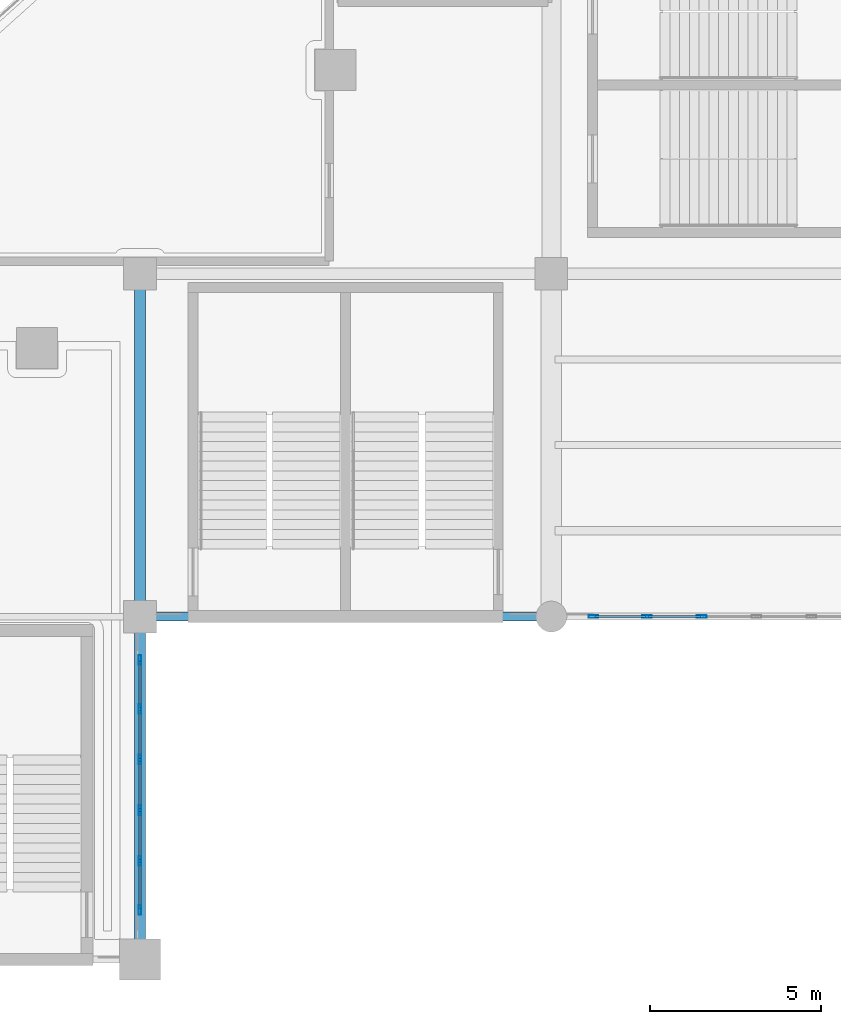
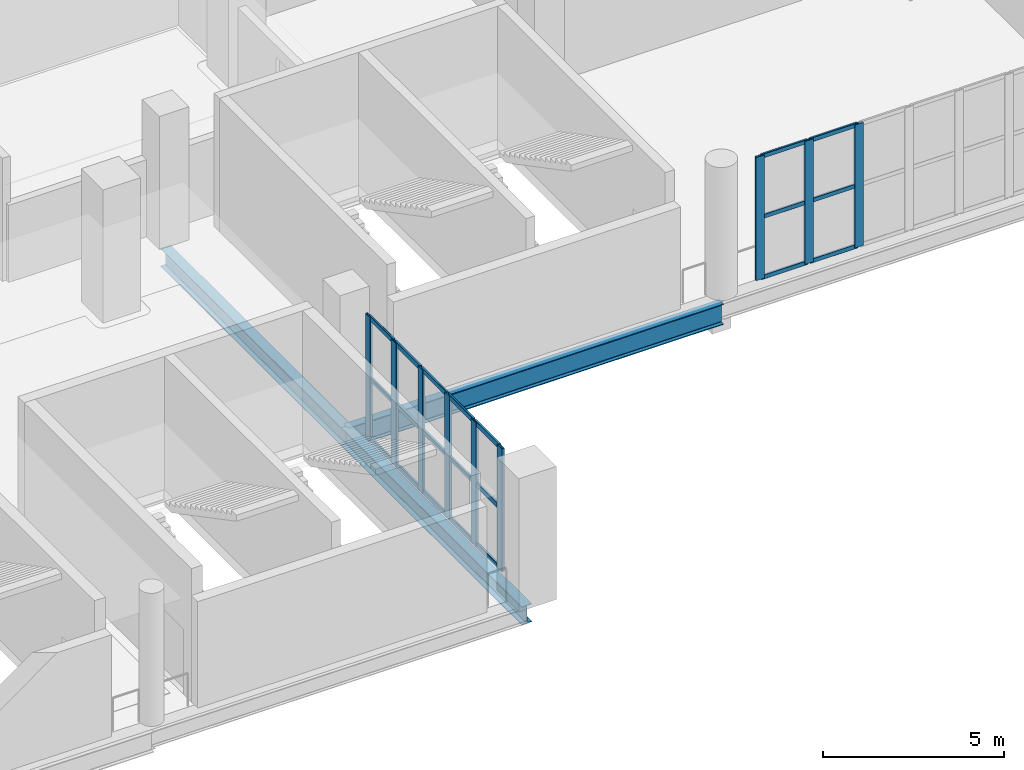
# One storey, part 31 of 90: 30 members, 3 beams, 2 elements without a shape of their own.
"""IFC4 building model written with IfcOpenShell, lengths in metres."""

from ifc_helpers import new_model, si_unit, direction, frame, origin, origin_2d, place, context, subcontext, project, spatial, hollow_rectangle, i_section, extrude, material, layer, layer_set, material_profile, profile_set, type_object, element, aggregate, save


model = new_model("IFC4")

# Units and contexts
model_context = context("Model", 3, precision=1e-05, world=origin(), true_north=direction((0.0, 1.0)))
body_context = subcontext(model_context, "Body", "Model", "MODEL_VIEW")
ifc_project = project(units=[si_unit("LENGTHUNIT", "METRE"), si_unit("AREAUNIT", "SQUARE_METRE"), si_unit("VOLUMEUNIT", "CUBIC_METRE"), si_unit("PLANEANGLEUNIT", "RADIAN"), si_unit("MASSUNIT", "GRAM", prefix="KILO")], contexts=[model_context])

# Site, building, storey
site_placement = place(None, origin())
site = spatial("IfcSite", under=ifc_project, at=site_placement, CompositionType="ELEMENT")
building_placement = place(site_placement, origin())
building = spatial("IfcBuilding", under=site, at=building_placement, Name="Brinegate Civic Arena", CompositionType="ELEMENT")
storey_placement = place(building_placement, frame((0.0, 0.0, 14.699951171875)))
storey = spatial("IfcBuildingStorey", under=building, at=storey_placement, Name="L03", CompositionType="ELEMENT", Elevation=14.699951171875)

# Curtain wall, members
ifc_material_1 = material(Name="Marine grade aluminium", Category="aluminium")
ifc_layer_1 = layer(ifc_material_1, 0.25, Name="Marine grade aluminium")
ifc_layer_set_1 = layer_set([ifc_layer_1], Name="Marine grade aluminium")
curtain_wall_type_1 = type_object("IfcCurtainWallType", Name="CW-PORTAL-SOUTH-02", PredefinedType="USERDEFINED", material=ifc_layer_set_1)
curtain_wall_1_placement = place(storey_placement, origin())
curtain_wall_1 = element("IfcCurtainWall", 1, at=curtain_wall_1_placement, inside=storey, type_object=curtain_wall_type_1, Name="Curtain Wall CWA-131", ObjectType="PORTAL CURTAIN WALL", PredefinedType="USERDEFINED")
ifc_material_profile_1 = material_profile(ifc_material_1, hollow_rectangle(XDim=0.080078125, YDim=0.280029296875, WallThickness=0.007080078125, InnerFilletRadius=0.0048828125, OuterFilletRadius=0.010009765625, at=origin_2d()), Name="MUL80X280")
ifc_profile_set_1 = profile_set([ifc_material_profile_1], Name="Marine grade aluminium")
member_type_1 = type_object("IfcMemberType", Name="CW-MULLION-80X280", PredefinedType="MULLION", material=ifc_profile_set_1)
member_1_placement = place(storey_placement, frame((132.0, 1.43896484375, 0.0), z_axis=(0.0, 0.0, 1.0), x_axis=(-1.0, 0.0, 0.0)))
member_1 = element("IfcMember", 2, at=member_1_placement, type_object=member_type_1, Name="CWA-131 mullion 1", PredefinedType="MULLION", context=body_context, shape_type="SweptSolid", body=[
    extrude(hollow_rectangle(XDim=0.080078125, YDim=0.280029296875, WallThickness=0.007080078125, InnerFilletRadius=0.0048828125, OuterFilletRadius=0.010009765625, at=origin_2d()), origin(), (0.0, 0.0, 1.0), 4.16015625),
])
member_2_placement = place(storey_placement, frame((132.0, 2.874755859375, 0.0), z_axis=(0.0, 0.0, 1.0), x_axis=(-1.0, 0.0, 0.0)))
member_2 = element("IfcMember", 3, at=member_2_placement, type_object=member_type_1, Name="CWA-131 mullion 2", PredefinedType="MULLION", context=body_context, shape_type="SweptSolid", body=[
    extrude(hollow_rectangle(XDim=0.080078125, YDim=0.280029296875, WallThickness=0.007080078125, InnerFilletRadius=0.0048828125, OuterFilletRadius=0.010009765625, at=origin_2d()), origin(), (0.0, 0.0, 1.0), 4.16015625),
])
member_3_placement = place(storey_placement, frame((132.0, 4.3505859375, 0.0), z_axis=(0.0, 0.0, 1.0), x_axis=(-1.0, 0.0, 0.0)))
member_3 = element("IfcMember", 4, at=member_3_placement, type_object=member_type_1, Name="CWA-131 mullion 3", PredefinedType="MULLION", context=body_context, shape_type="SweptSolid", body=[
    extrude(hollow_rectangle(XDim=0.080078125, YDim=0.280029296875, WallThickness=0.007080078125, InnerFilletRadius=0.0048828125, OuterFilletRadius=0.010009765625, at=origin_2d()), origin(), (0.0, 0.0, 1.0), 4.16015625),
])
member_4_placement = place(storey_placement, frame((132.0, 5.826416015625, 0.0), z_axis=(0.0, 0.0, 1.0), x_axis=(-1.0, 0.0, 0.0)))
member_4 = element("IfcMember", 5, at=member_4_placement, type_object=member_type_1, Name="CWA-131 mullion 4", PredefinedType="MULLION", context=body_context, shape_type="SweptSolid", body=[
    extrude(hollow_rectangle(XDim=0.080078125, YDim=0.280029296875, WallThickness=0.007080078125, InnerFilletRadius=0.0048828125, OuterFilletRadius=0.010009765625, at=origin_2d()), origin(), (0.0, 0.0, 1.0), 4.16015625),
])
member_5_placement = place(storey_placement, frame((132.0, 7.30224609375, 0.0), z_axis=(0.0, 0.0, 1.0), x_axis=(-1.0, 0.0, 0.0)))
member_5 = element("IfcMember", 6, at=member_5_placement, type_object=member_type_1, Name="CWA-131 mullion 5", PredefinedType="MULLION", context=body_context, shape_type="SweptSolid", body=[
    extrude(hollow_rectangle(XDim=0.080078125, YDim=0.280029296875, WallThickness=0.007080078125, InnerFilletRadius=0.0048828125, OuterFilletRadius=0.010009765625, at=origin_2d()), origin(), (0.0, 0.0, 1.0), 4.16015625),
])
member_6_placement = place(storey_placement, frame((132.0, 8.738037109375, 0.0), z_axis=(0.0, 0.0, 1.0), x_axis=(-1.0, 0.0, 0.0)))
member_6 = element("IfcMember", 7, at=member_6_placement, type_object=member_type_1, Name="CWA-131 mullion 6", PredefinedType="MULLION", context=body_context, shape_type="SweptSolid", body=[
    extrude(hollow_rectangle(XDim=0.080078125, YDim=0.280029296875, WallThickness=0.007080078125, InnerFilletRadius=0.0048828125, OuterFilletRadius=0.010009765625, at=origin_2d()), origin(), (0.0, 0.0, 1.0), 4.16015625),
])

ifc_layer_2 = layer(ifc_material_1, 0.199951171875, Name="Marine grade aluminium")
ifc_layer_set_2 = layer_set([ifc_layer_2], Name="Marine grade aluminium")
curtain_wall_type_2 = type_object("IfcCurtainWallType", Name="CW-BOWL-GLAZED-01", PredefinedType="USERDEFINED", material=ifc_layer_set_2)
curtain_wall_2_placement = place(storey_placement, origin())
curtain_wall_2 = element("IfcCurtainWall", 8, at=curtain_wall_2_placement, inside=storey, type_object=curtain_wall_type_2, Name="Curtain Wall CWA-133", ObjectType="GLAZED CURTAIN WALL", PredefinedType="USERDEFINED")
member_7_placement = place(storey_placement, frame((145.22607421875, 10.0, 0.0), z_axis=(0.0, 0.0, 1.0), x_axis=(0.0, 1.0, 0.0)))
member_7 = element("IfcMember", 9, at=member_7_placement, type_object=member_type_1, Name="CWA-133 mullion 1", PredefinedType="MULLION", context=body_context, shape_type="SweptSolid", body=[
    extrude(hollow_rectangle(XDim=0.080078125, YDim=0.280029296875, WallThickness=0.007080078125, InnerFilletRadius=0.0048828125, OuterFilletRadius=0.010009765625, at=origin_2d()), origin(), (0.0, 0.0, 1.0), 4.16015625),
])
member_8_placement = place(storey_placement, frame((146.78466796875, 10.0, 0.0), z_axis=(0.0, 0.0, 1.0), x_axis=(0.0, 1.0, 0.0)))
member_8 = element("IfcMember", 10, at=member_8_placement, type_object=member_type_1, Name="CWA-133 mullion 2", PredefinedType="MULLION", context=body_context, shape_type="SweptSolid", body=[
    extrude(hollow_rectangle(XDim=0.080078125, YDim=0.280029296875, WallThickness=0.007080078125, InnerFilletRadius=0.0048828125, OuterFilletRadius=0.010009765625, at=origin_2d()), origin(), (0.0, 0.0, 1.0), 4.16015625),
])
member_9_placement = place(storey_placement, frame((148.38330078125, 10.0, 0.0), z_axis=(0.0, 0.0, 1.0), x_axis=(0.0, 1.0, 0.0)))
member_9 = element("IfcMember", 11, at=member_9_placement, type_object=member_type_1, Name="CWA-133 mullion 3", PredefinedType="MULLION", context=body_context, shape_type="SweptSolid", body=[
    extrude(hollow_rectangle(XDim=0.080078125, YDim=0.280029296875, WallThickness=0.007080078125, InnerFilletRadius=0.0048828125, OuterFilletRadius=0.010009765625, at=origin_2d()), origin(), (0.0, 0.0, 1.0), 4.16015625),
])
ifc_material_profile_2 = material_profile(ifc_material_1, hollow_rectangle(XDim=0.06494140625, YDim=0.139892578125, WallThickness=0.0048828125, InnerFilletRadius=0.00390625, OuterFilletRadius=0.008056640625, at=origin_2d()), Name="TRN65X140")
ifc_profile_set_2 = profile_set([ifc_material_profile_2], Name="Marine grade aluminium")
member_type_2 = type_object("IfcMemberType", Name="CW-TRANSOM-65X140", PredefinedType="USERDEFINED", material=ifc_profile_set_2)
member_10_placement = place(storey_placement, frame((145.26611328125, 10.0, 0.032470703125), z_axis=(1.0, 0.0, 0.0), x_axis=(0.0, 1.0, 0.0)))
member_10 = element("IfcMember", 12, at=member_10_placement, type_object=member_type_2, Name="CWA-133 transom 1.1", ObjectType="TRANSOM", PredefinedType="USERDEFINED", context=body_context, shape_type="SweptSolid", body=[
    extrude(hollow_rectangle(XDim=0.06494140625, YDim=0.139892578125, WallThickness=0.0048828125, InnerFilletRadius=0.00390625, OuterFilletRadius=0.008056640625, at=origin_2d()), origin(), (0.0, 0.0, 1.0), 1.478515625),
])
member_11_placement = place(storey_placement, frame((145.26611328125, 10.0, 2.080078125), z_axis=(1.0, 0.0, 0.0), x_axis=(0.0, 1.0, 0.0)))
member_11 = element("IfcMember", 13, at=member_11_placement, type_object=member_type_2, Name="CWA-133 transom 1.2", ObjectType="TRANSOM", PredefinedType="USERDEFINED", context=body_context, shape_type="SweptSolid", body=[
    extrude(hollow_rectangle(XDim=0.06494140625, YDim=0.139892578125, WallThickness=0.0048828125, InnerFilletRadius=0.00390625, OuterFilletRadius=0.008056640625, at=origin_2d()), origin(), (0.0, 0.0, 1.0), 1.478515625),
])
member_12_placement = place(storey_placement, frame((145.26611328125, 10.0, 4.12744140625), z_axis=(1.0, 0.0, 0.0), x_axis=(0.0, 1.0, 0.0)))
member_12 = element("IfcMember", 14, at=member_12_placement, type_object=member_type_2, Name="CWA-133 transom 1.3", ObjectType="TRANSOM", PredefinedType="USERDEFINED", context=body_context, shape_type="SweptSolid", body=[
    extrude(hollow_rectangle(XDim=0.06494140625, YDim=0.139892578125, WallThickness=0.0048828125, InnerFilletRadius=0.00390625, OuterFilletRadius=0.008056640625, at=origin_2d()), origin(), (0.0, 0.0, 1.0), 1.478515625),
])
member_13_placement = place(storey_placement, frame((146.82470703125, 10.0, 0.032470703125), z_axis=(1.0, 0.0, 0.0), x_axis=(0.0, 1.0, 0.0)))
member_13 = element("IfcMember", 15, at=member_13_placement, type_object=member_type_2, Name="CWA-133 transom 2.1", ObjectType="TRANSOM", PredefinedType="USERDEFINED", context=body_context, shape_type="SweptSolid", body=[
    extrude(hollow_rectangle(XDim=0.06494140625, YDim=0.139892578125, WallThickness=0.0048828125, InnerFilletRadius=0.00390625, OuterFilletRadius=0.008056640625, at=origin_2d()), origin(), (0.0, 0.0, 1.0), 1.5185546875),
])
member_14_placement = place(storey_placement, frame((146.82470703125, 10.0, 2.080078125), z_axis=(1.0, 0.0, 0.0), x_axis=(0.0, 1.0, 0.0)))
member_14 = element("IfcMember", 16, at=member_14_placement, type_object=member_type_2, Name="CWA-133 transom 2.2", ObjectType="TRANSOM", PredefinedType="USERDEFINED", context=body_context, shape_type="SweptSolid", body=[
    extrude(hollow_rectangle(XDim=0.06494140625, YDim=0.139892578125, WallThickness=0.0048828125, InnerFilletRadius=0.00390625, OuterFilletRadius=0.008056640625, at=origin_2d()), origin(), (0.0, 0.0, 1.0), 1.5185546875),
])
member_15_placement = place(storey_placement, frame((146.82470703125, 10.0, 4.12744140625), z_axis=(1.0, 0.0, 0.0), x_axis=(0.0, 1.0, 0.0)))
member_15 = element("IfcMember", 17, at=member_15_placement, type_object=member_type_2, Name="CWA-133 transom 2.3", ObjectType="TRANSOM", PredefinedType="USERDEFINED", context=body_context, shape_type="SweptSolid", body=[
    extrude(hollow_rectangle(XDim=0.06494140625, YDim=0.139892578125, WallThickness=0.0048828125, InnerFilletRadius=0.00390625, OuterFilletRadius=0.008056640625, at=origin_2d()), origin(), (0.0, 0.0, 1.0), 1.5185546875),
])
aggregate(curtain_wall_2, [member_7, member_8, member_9, member_10, member_11, member_12, member_13, member_14, member_15])

# Member
ifc_material_profile_3 = material_profile(ifc_material_1, hollow_rectangle(XDim=0.06494140625, YDim=0.1650390625, WallThickness=0.0048828125, InnerFilletRadius=0.00390625, OuterFilletRadius=0.008056640625, at=origin_2d()), Name="TRN65X165")
ifc_profile_set_3 = profile_set([ifc_material_profile_3], Name="Marine grade aluminium")
member_type_3 = type_object("IfcMemberType", Name="CW-TRANSOM-65X165", PredefinedType="USERDEFINED", material=ifc_profile_set_3)
member_16_placement = place(storey_placement, frame((132.0, 1.47900390625, 0.032470703125), z_axis=(0.0, 1.0, 0.0), x_axis=(-1.0, 0.0, 0.0)))
member_16 = element("IfcMember", 18, at=member_16_placement, type_object=member_type_3, Name="CWA-131 transom 1.1", ObjectType="TRANSOM", PredefinedType="USERDEFINED", context=body_context, shape_type="SweptSolid", body=[
    extrude(hollow_rectangle(XDim=0.06494140625, YDim=0.1650390625, WallThickness=0.0048828125, InnerFilletRadius=0.00390625, OuterFilletRadius=0.008056640625, at=origin_2d()), origin(), (0.0, 0.0, 1.0), 1.355712890625),
])

member_17_placement = place(storey_placement, frame((132.0, 1.47900390625, 2.080078125), z_axis=(0.0, 1.0, 0.0), x_axis=(-1.0, 0.0, 0.0)))
member_17 = element("IfcMember", 19, at=member_17_placement, type_object=member_type_3, Name="CWA-131 transom 1.2", ObjectType="TRANSOM", PredefinedType="USERDEFINED", context=body_context, shape_type="SweptSolid", body=[
    extrude(hollow_rectangle(XDim=0.06494140625, YDim=0.1650390625, WallThickness=0.0048828125, InnerFilletRadius=0.00390625, OuterFilletRadius=0.008056640625, at=origin_2d()), origin(), (0.0, 0.0, 1.0), 1.355712890625),
])

member_18_placement = place(storey_placement, frame((132.0, 1.47900390625, 4.12744140625), z_axis=(0.0, 1.0, 0.0), x_axis=(-1.0, 0.0, 0.0)))
member_18 = element("IfcMember", 20, at=member_18_placement, type_object=member_type_3, Name="CWA-131 transom 1.3", ObjectType="TRANSOM", PredefinedType="USERDEFINED", context=body_context, shape_type="SweptSolid", body=[
    extrude(hollow_rectangle(XDim=0.06494140625, YDim=0.1650390625, WallThickness=0.0048828125, InnerFilletRadius=0.00390625, OuterFilletRadius=0.008056640625, at=origin_2d()), origin(), (0.0, 0.0, 1.0), 1.355712890625),
])

member_19_placement = place(storey_placement, frame((132.0, 2.914794921875, 0.032470703125), z_axis=(0.0, 1.0, 0.0), x_axis=(-1.0, 0.0, 0.0)))
member_19 = element("IfcMember", 21, at=member_19_placement, type_object=member_type_3, Name="CWA-131 transom 2.1", ObjectType="TRANSOM", PredefinedType="USERDEFINED", context=body_context, shape_type="SweptSolid", body=[
    extrude(hollow_rectangle(XDim=0.06494140625, YDim=0.1650390625, WallThickness=0.0048828125, InnerFilletRadius=0.00390625, OuterFilletRadius=0.008056640625, at=origin_2d()), origin(), (0.0, 0.0, 1.0), 1.395751953125),
])

member_20_placement = place(storey_placement, frame((132.0, 2.914794921875, 2.080078125), z_axis=(0.0, 1.0, 0.0), x_axis=(-1.0, 0.0, 0.0)))
member_20 = element("IfcMember", 22, at=member_20_placement, type_object=member_type_3, Name="CWA-131 transom 2.2", ObjectType="TRANSOM", PredefinedType="USERDEFINED", context=body_context, shape_type="SweptSolid", body=[
    extrude(hollow_rectangle(XDim=0.06494140625, YDim=0.1650390625, WallThickness=0.0048828125, InnerFilletRadius=0.00390625, OuterFilletRadius=0.008056640625, at=origin_2d()), origin(), (0.0, 0.0, 1.0), 1.395751953125),
])

member_21_placement = place(storey_placement, frame((132.0, 2.914794921875, 4.12744140625), z_axis=(0.0, 1.0, 0.0), x_axis=(-1.0, 0.0, 0.0)))
member_21 = element("IfcMember", 23, at=member_21_placement, type_object=member_type_3, Name="CWA-131 transom 2.3", ObjectType="TRANSOM", PredefinedType="USERDEFINED", context=body_context, shape_type="SweptSolid", body=[
    extrude(hollow_rectangle(XDim=0.06494140625, YDim=0.1650390625, WallThickness=0.0048828125, InnerFilletRadius=0.00390625, OuterFilletRadius=0.008056640625, at=origin_2d()), origin(), (0.0, 0.0, 1.0), 1.395751953125),
])

member_22_placement = place(storey_placement, frame((132.0, 4.390625, 0.032470703125), z_axis=(0.0, 1.0, 0.0), x_axis=(-1.0, 0.0, 0.0)))
member_22 = element("IfcMember", 24, at=member_22_placement, type_object=member_type_3, Name="CWA-131 transom 3.1", ObjectType="TRANSOM", PredefinedType="USERDEFINED", context=body_context, shape_type="SweptSolid", body=[
    extrude(hollow_rectangle(XDim=0.06494140625, YDim=0.1650390625, WallThickness=0.0048828125, InnerFilletRadius=0.00390625, OuterFilletRadius=0.008056640625, at=origin_2d()), origin(), (0.0, 0.0, 1.0), 1.395751953125),
])

member_23_placement = place(storey_placement, frame((132.0, 4.390625, 2.080078125), z_axis=(0.0, 1.0, 0.0), x_axis=(-1.0, 0.0, 0.0)))
member_23 = element("IfcMember", 25, at=member_23_placement, type_object=member_type_3, Name="CWA-131 transom 3.2", ObjectType="TRANSOM", PredefinedType="USERDEFINED", context=body_context, shape_type="SweptSolid", body=[
    extrude(hollow_rectangle(XDim=0.06494140625, YDim=0.1650390625, WallThickness=0.0048828125, InnerFilletRadius=0.00390625, OuterFilletRadius=0.008056640625, at=origin_2d()), origin(), (0.0, 0.0, 1.0), 1.395751953125),
])

member_24_placement = place(storey_placement, frame((132.0, 4.390625, 4.12744140625), z_axis=(0.0, 1.0, 0.0), x_axis=(-1.0, 0.0, 0.0)))
member_24 = element("IfcMember", 26, at=member_24_placement, type_object=member_type_3, Name="CWA-131 transom 3.3", ObjectType="TRANSOM", PredefinedType="USERDEFINED", context=body_context, shape_type="SweptSolid", body=[
    extrude(hollow_rectangle(XDim=0.06494140625, YDim=0.1650390625, WallThickness=0.0048828125, InnerFilletRadius=0.00390625, OuterFilletRadius=0.008056640625, at=origin_2d()), origin(), (0.0, 0.0, 1.0), 1.395751953125),
])

member_25_placement = place(storey_placement, frame((132.0, 5.866455078125, 0.032470703125), z_axis=(0.0, 1.0, 0.0), x_axis=(-1.0, 0.0, 0.0)))
member_25 = element("IfcMember", 27, at=member_25_placement, type_object=member_type_3, Name="CWA-131 transom 4.1", ObjectType="TRANSOM", PredefinedType="USERDEFINED", context=body_context, shape_type="SweptSolid", body=[
    extrude(hollow_rectangle(XDim=0.06494140625, YDim=0.1650390625, WallThickness=0.0048828125, InnerFilletRadius=0.00390625, OuterFilletRadius=0.008056640625, at=origin_2d()), origin(), (0.0, 0.0, 1.0), 1.395751953125),
])

member_26_placement = place(storey_placement, frame((132.0, 5.866455078125, 2.080078125), z_axis=(0.0, 1.0, 0.0), x_axis=(-1.0, 0.0, 0.0)))
member_26 = element("IfcMember", 28, at=member_26_placement, type_object=member_type_3, Name="CWA-131 transom 4.2", ObjectType="TRANSOM", PredefinedType="USERDEFINED", context=body_context, shape_type="SweptSolid", body=[
    extrude(hollow_rectangle(XDim=0.06494140625, YDim=0.1650390625, WallThickness=0.0048828125, InnerFilletRadius=0.00390625, OuterFilletRadius=0.008056640625, at=origin_2d()), origin(), (0.0, 0.0, 1.0), 1.395751953125),
])

member_27_placement = place(storey_placement, frame((132.0, 5.866455078125, 4.12744140625), z_axis=(0.0, 1.0, 0.0), x_axis=(-1.0, 0.0, 0.0)))
member_27 = element("IfcMember", 29, at=member_27_placement, type_object=member_type_3, Name="CWA-131 transom 4.3", ObjectType="TRANSOM", PredefinedType="USERDEFINED", context=body_context, shape_type="SweptSolid", body=[
    extrude(hollow_rectangle(XDim=0.06494140625, YDim=0.1650390625, WallThickness=0.0048828125, InnerFilletRadius=0.00390625, OuterFilletRadius=0.008056640625, at=origin_2d()), origin(), (0.0, 0.0, 1.0), 1.395751953125),
])

member_28_placement = place(storey_placement, frame((132.0, 7.34228515625, 0.032470703125), z_axis=(0.0, 1.0, 0.0), x_axis=(-1.0, 0.0, 0.0)))
member_28 = element("IfcMember", 30, at=member_28_placement, type_object=member_type_3, Name="CWA-131 transom 5.1", ObjectType="TRANSOM", PredefinedType="USERDEFINED", context=body_context, shape_type="SweptSolid", body=[
    extrude(hollow_rectangle(XDim=0.06494140625, YDim=0.1650390625, WallThickness=0.0048828125, InnerFilletRadius=0.00390625, OuterFilletRadius=0.008056640625, at=origin_2d()), origin(), (0.0, 0.0, 1.0), 1.355712890625),
])

member_29_placement = place(storey_placement, frame((132.0, 7.34228515625, 2.080078125), z_axis=(0.0, 1.0, 0.0), x_axis=(-1.0, 0.0, 0.0)))
member_29 = element("IfcMember", 31, at=member_29_placement, type_object=member_type_3, Name="CWA-131 transom 5.2", ObjectType="TRANSOM", PredefinedType="USERDEFINED", context=body_context, shape_type="SweptSolid", body=[
    extrude(hollow_rectangle(XDim=0.06494140625, YDim=0.1650390625, WallThickness=0.0048828125, InnerFilletRadius=0.00390625, OuterFilletRadius=0.008056640625, at=origin_2d()), origin(), (0.0, 0.0, 1.0), 1.355712890625),
])

member_30_placement = place(storey_placement, frame((132.0, 7.34228515625, 4.12744140625), z_axis=(0.0, 1.0, 0.0), x_axis=(-1.0, 0.0, 0.0)))
member_30 = element("IfcMember", 32, at=member_30_placement, type_object=member_type_3, Name="CWA-131 transom 5.3", ObjectType="TRANSOM", PredefinedType="USERDEFINED", context=body_context, shape_type="SweptSolid", body=[
    extrude(hollow_rectangle(XDim=0.06494140625, YDim=0.1650390625, WallThickness=0.0048828125, InnerFilletRadius=0.00390625, OuterFilletRadius=0.008056640625, at=origin_2d()), origin(), (0.0, 0.0, 1.0), 1.355712890625),
])

aggregate(curtain_wall_1, [member_1, member_2, member_3, member_4, member_5, member_6, member_16, member_17, member_18, member_19, member_20, member_21, member_22, member_23, member_24, member_25, member_26, member_27, member_28, member_29, member_30])

# Beams
ifc_material_2 = material(Name="Steel S355", Category="steel")
ifc_material_profile_4 = material_profile(ifc_material_2, i_section(OverallWidth=0.323974609375, OverallDepth=0.611083984375, WebThickness=0.012939453125, FlangeThickness=0.01904296875, FilletRadius=0.01611328125, at=origin_2d()), Name="W610X155")
ifc_profile_set_4 = profile_set([ifc_material_profile_4], Name="Steel S355")
beam_type_1 = type_object("IfcBeamType", Name="GIRDER-W610X155", PredefinedType="BEAM", material=ifc_profile_set_4)
beam_1_placement = place(storey_placement, frame((132.0, 0.0, -0.655029296875), z_axis=(0.0, 1.0, 0.0), x_axis=(-1.0, 0.0, 0.0)))
element("IfcBeam", 33, at=beam_1_placement, inside=storey, type_object=beam_type_1, Name="Floor Girder BM-L03-GY-11-00", PredefinedType="BEAM", context=body_context, shape_type="SweptSolid", body=[
    extrude(i_section(OverallWidth=0.323974609375, OverallDepth=0.611083984375, WebThickness=0.012939453125, FlangeThickness=0.01904296875, FilletRadius=0.01611328125, at=origin_2d()), origin(), (0.0, 0.0, 1.0), 10.0),
])
ifc_material_profile_5 = material_profile(ifc_material_2, i_section(OverallWidth=0.324951171875, OverallDepth=0.615966796875, WebThickness=0.013916015625, FlangeThickness=0.02197265625, FilletRadius=0.01611328125, at=origin_2d()), Name="W610X174")
ifc_profile_set_5 = profile_set([ifc_material_profile_5], Name="Steel S355")
beam_type_2 = type_object("IfcBeamType", Name="GIRDER-W610X174", PredefinedType="BEAM", material=ifc_profile_set_5)
beam_2_placement = place(storey_placement, frame((132.0, 10.0, -0.657958984375), z_axis=(0.0, 1.0, 0.0), x_axis=(-1.0, 0.0, 0.0)))
element("IfcBeam", 34, at=beam_2_placement, inside=storey, type_object=beam_type_2, Name="Floor Girder BM-L03-GY-11-01", PredefinedType="BEAM", context=body_context, shape_type="SweptSolid", body=[
    extrude(i_section(OverallWidth=0.324951171875, OverallDepth=0.615966796875, WebThickness=0.013916015625, FlangeThickness=0.02197265625, FilletRadius=0.01611328125, at=origin_2d()), origin(), (0.0, 0.0, 1.0), 10.0),
])
ifc_material_profile_6 = material_profile(ifc_material_2, i_section(OverallWidth=0.256103515625, OverallDepth=0.693115234375, WebThickness=0.014892578125, FlangeThickness=0.02392578125, FilletRadius=0.01806640625, at=origin_2d()), Name="W690X170")
ifc_profile_set_6 = profile_set([ifc_material_profile_6], Name="Steel S355")
beam_type_3 = type_object("IfcBeamType", Name="SPANDREL-W690X170", PredefinedType="SPANDREL", material=ifc_profile_set_6)
beam_3_placement = place(storey_placement, frame((132.0, 10.0, -0.696044921875), z_axis=(1.0, 0.0, 0.0), x_axis=(0.0, 1.0, 0.0)))
element("IfcBeam", 35, at=beam_3_placement, inside=storey, type_object=beam_type_3, Name="Floor Girder BM-L03-GX-11-01", PredefinedType="SPANDREL", context=body_context, shape_type="SweptSolid", body=[
    extrude(i_section(OverallWidth=0.256103515625, OverallDepth=0.693115234375, WebThickness=0.014892578125, FlangeThickness=0.02392578125, FilletRadius=0.01806640625, at=origin_2d()), origin(), (0.0, 0.0, 1.0), 12.0),
])

save(model, "model.ifc")
